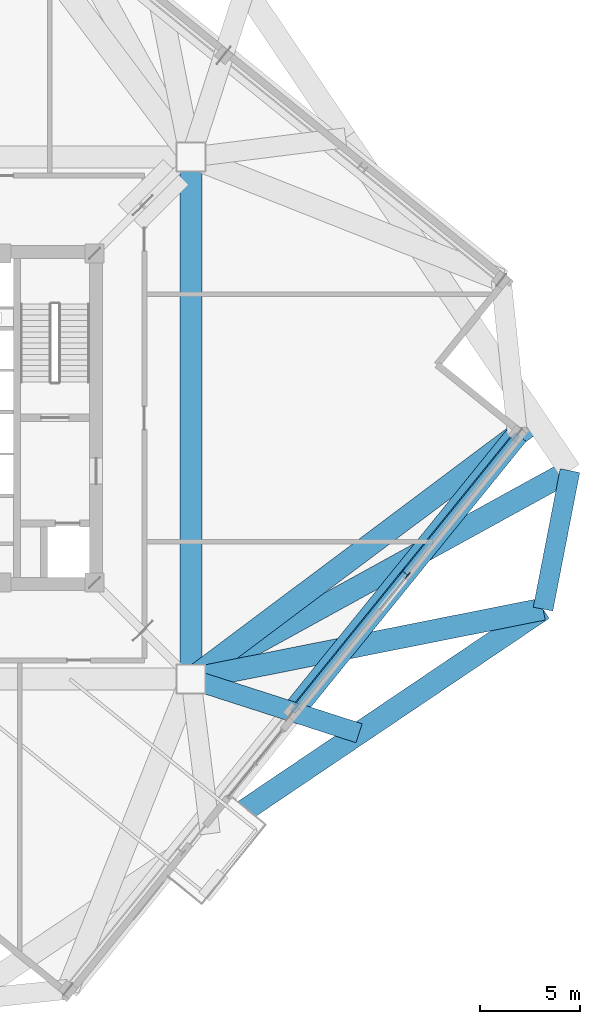
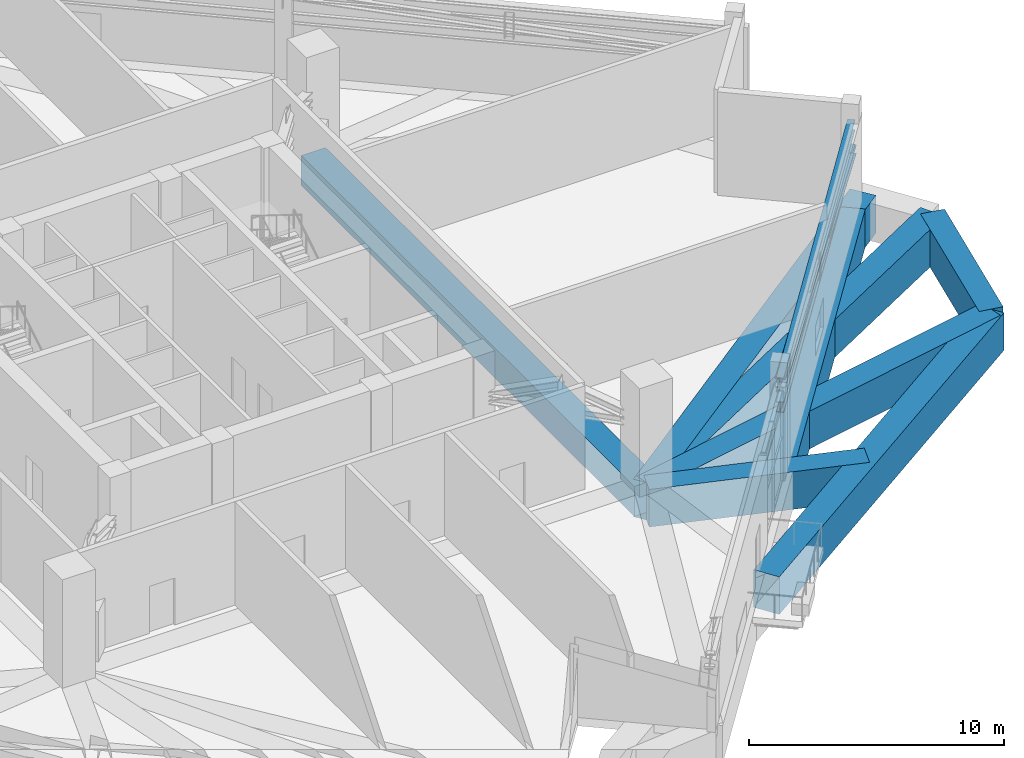
# One storey, part 5 of 22: 8 beams, 4 members.
"""IFC4 building model written with IfcOpenShell, lengths in metres."""

from ifc_helpers import new_model, si_unit, direction, frame, origin, origin_2d, place, context, subcontext, project, spatial, rectangle, i_section, extrude, source, transform, mapped, material, material_profile, profile_set, type_object, element, save


model = new_model("IFC4")

# Units and contexts
model_context = context("Model", 3, precision=1e-05, world=origin(), true_north=direction((0.0, 1.0)))
body_context = subcontext(model_context, "Body", "Model", "MODEL_VIEW")
ifc_project = project(units=[si_unit("LENGTHUNIT", "METRE"), si_unit("AREAUNIT", "SQUARE_METRE"), si_unit("VOLUMEUNIT", "CUBIC_METRE"), si_unit("PLANEANGLEUNIT", "RADIAN"), si_unit("MASSUNIT", "GRAM", prefix="KILO"), si_unit("THERMODYNAMICTEMPERATUREUNIT", "KELVIN")], contexts=[model_context])

# Site, building, storey
site_placement = place(None, origin())
site = spatial("IfcSite", under=ifc_project, at=site_placement, CompositionType="ELEMENT")
building_placement = place(site_placement, origin())
building = spatial("IfcBuilding", under=site, at=building_placement, Name="Kosmvard Interchange Tower", CompositionType="ELEMENT")
storey_placement = place(building_placement, frame((0.0, 0.0, 200.39990234375)))
storey = spatial("IfcBuildingStorey", under=building, at=storey_placement, Name="L48", CompositionType="ELEMENT", Elevation=200.39990234375)

# Beams
ifc_material_1 = material(Name="Concrete C70/85", Category="concrete")
ifc_material_profile_1 = material_profile(ifc_material_1, rectangle(XDim=1.10009765625, YDim=1.43994140625, at=origin_2d()), Name="TG 1100x1440")
ifc_profile_set_1 = profile_set([ifc_material_profile_1], Name="Concrete C70/85")
beam_type_1 = type_object("IfcBeamType", Name="Mega-Frame Transfer Ring Girder 1100x1440 C70/85", PredefinedType="USERDEFINED", material=ifc_profile_set_1)
shared_shape_1 = source(origin(), body_context, "Body", "SweptSolid", [
    extrude(rectangle(XDim=1.10009765625, YDim=1.43994140625, at=origin_2d()), origin(), (0.0, 0.0, 1.0), 26.162109375),
])
beam_1_placement = place(storey_placement, frame((13.0810546875, -13.0810546875, -0.719970703125), z_axis=(0.0, 1.0, 0.0), x_axis=(-1.0, 0.0, 0.0)))
element("IfcBeam", 1, at=beam_1_placement, inside=storey, type_object=beam_type_1, Name="L48 Mega-Column Ring Girder 2", ObjectType="TRANSFER_GIRDER", PredefinedType="USERDEFINED", context=body_context, shape_type="MappedRepresentation", body=[
    mapped(shared_shape_1, transform((0.0, 0.0, 0.0), scale=1.0)),
])
ifc_material_2 = material(Name="Concrete C60/75", Category="concrete")
ifc_material_profile_2 = material_profile(ifc_material_2, rectangle(XDim=1.1201171875, YDim=1.800048828125, at=origin_2d()), Name="TG 1120x1800")
ifc_profile_set_2 = profile_set([ifc_material_profile_2], Name="Concrete C60/75")
beam_type_2 = type_object("IfcBeamType", Name="Zone Long-Span Transfer Girder 1120x1800 C60/75", PredefinedType="USERDEFINED", material=ifc_profile_set_2)
shared_shape_2 = source(origin(), body_context, "Body", "SweptSolid", [
    extrude(rectangle(XDim=1.1201171875, YDim=1.800048828125, at=origin_2d()), origin(), (0.0, 0.0, 1.0), 21.684326171875),
])
beam_2_placement = place(storey_placement, frame((13.0810546875, -13.0810546875, -0.89990234375), z_axis=(0.876311689012, 0.48174456271, 0.0), x_axis=(-0.48174456271, 0.876311689012, 0.0)))
element("IfcBeam", 2, at=beam_2_placement, inside=storey, type_object=beam_type_2, Name="BM-L48-LD04", ObjectType="TRANSFER_GIRDER", PredefinedType="USERDEFINED", context=body_context, shape_type="MappedRepresentation", body=[
    mapped(shared_shape_2, transform((0.0, 0.0, 0.0), scale=1.0)),
])
shared_shape_3 = source(origin(), body_context, "Body", "SweptSolid", [
    extrude(rectangle(XDim=1.1201171875, YDim=1.800048828125, at=origin_2d()), origin(), (0.0, 0.0, 1.0), 20.125),
])
beam_3_placement = place(storey_placement, frame((14.0498046875, -20.82958984375, -0.89990234375), z_axis=(0.829038908426, 0.559190922956, 0.0), x_axis=(-0.559190922956, 0.829038908426, 0.0)))
element("IfcBeam", 3, at=beam_3_placement, inside=storey, type_object=beam_type_2, Name="BM-L48-LR02", ObjectType="TRANSFER_GIRDER", PredefinedType="USERDEFINED", context=body_context, shape_type="MappedRepresentation", body=[
    mapped(shared_shape_3, transform((0.0, 0.0, 0.0), scale=1.0)),
])
ifc_material_profile_3 = material_profile(ifc_material_2, rectangle(XDim=1.0, YDim=1.800048828125, at=origin_2d()), Name="TG 1000x1800")
ifc_profile_set_3 = profile_set([ifc_material_profile_3], Name="Concrete C60/75")
beam_type_3 = type_object("IfcBeamType", Name="Zone Transfer Ring Girder 1000x1800 C60/75", PredefinedType="USERDEFINED", material=ifc_profile_set_3)
shared_shape_4 = source(origin(), body_context, "Body", "SweptSolid", [
    extrude(rectangle(XDim=1.0, YDim=1.800048828125, at=origin_2d()), origin(), (0.0, 0.0, 1.0), 7.071044921875),
])
beam_4_placement = place(storey_placement, frame((30.734130859375, -9.575927734375, -0.89990234375), z_axis=(0.190794803533, 0.981629941956, 0.0), x_axis=(-0.981629941956, 0.190794803533, 0.0)))
element("IfcBeam", 4, at=beam_4_placement, inside=storey, type_object=beam_type_3, Name="BM-L48-LR03", ObjectType="TRANSFER_GIRDER", PredefinedType="USERDEFINED", context=body_context, shape_type="MappedRepresentation", body=[
    mapped(shared_shape_4, transform((0.0, 0.0, 0.0), scale=1.0)),
])
shared_shape_5 = source(origin(), body_context, "Body", "SweptSolid", [
    extrude(rectangle(XDim=1.1201171875, YDim=1.800048828125, at=origin_2d()), origin(), (0.0, 0.0, 1.0), 17.997802734375),
])
beam_5_placement = place(storey_placement, frame((13.0810546875, -13.0810546875, -0.89990234375), z_axis=(0.980852075755, 0.194754218148, 0.0), x_axis=(-0.194754218148, 0.980852075755, 0.0)))
element("IfcBeam", 5, at=beam_5_placement, inside=storey, type_object=beam_type_2, Name="BM-L48-LD03", ObjectType="TRANSFER_GIRDER", PredefinedType="USERDEFINED", context=body_context, shape_type="MappedRepresentation", body=[
    mapped(shared_shape_5, transform((0.0, 0.0, 0.0), scale=1.0)),
])
shared_shape_6 = source(origin(), body_context, "Body", "SweptSolid", [
    extrude(rectangle(XDim=1.1201171875, YDim=1.800048828125, at=origin_2d()), origin(), (0.0, 0.0, 1.0), 17.89990234375),
])
beam_6_placement = place(storey_placement, frame((18.185302734375, -14.72607421875, -0.89990234375), z_axis=(0.629314753061, 0.777150526976, 0.0), x_axis=(-0.777150526976, 0.629314753061, 0.0)))
element("IfcBeam", 6, at=beam_6_placement, inside=storey, type_object=beam_type_2, Name="BM-L48-PR02", ObjectType="TRANSFER_GIRDER", PredefinedType="USERDEFINED", context=body_context, shape_type="MappedRepresentation", body=[
    mapped(shared_shape_6, transform((0.0, 0.0, 0.0), scale=1.0)),
])
shared_shape_7 = source(origin(), body_context, "Body", "SweptSolid", [
    extrude(rectangle(XDim=1.0, YDim=1.800048828125, at=origin_2d()), origin(), (0.0, 0.0, 1.0), 8.855712890625),
])
beam_7_placement = place(storey_placement, frame((13.0810546875, -13.0810546875, -0.89990234375), z_axis=(0.951787317516, -0.306758703569, 0.0), x_axis=(0.306758703569, 0.951787317516, 0.0)))
element("IfcBeam", 7, at=beam_7_placement, inside=storey, type_object=beam_type_3, Name="BM-L48-RD02", ObjectType="TRANSFER_GIRDER", PredefinedType="USERDEFINED", context=body_context, shape_type="MappedRepresentation", body=[
    mapped(shared_shape_7, transform((0.0, 0.0, 0.0), scale=1.0)),
])
shared_shape_8 = source(origin(), body_context, "Body", "SweptSolid", [
    extrude(rectangle(XDim=1.1201171875, YDim=1.800048828125, at=origin_2d()), origin(), (0.0, 0.0, 1.0), 21.621826171875),
])
beam_8_placement = place(storey_placement, frame((13.0810546875, -13.0810546875, -0.89990234375), z_axis=(0.800253307022, 0.599662108692, 0.0), x_axis=(-0.599662108692, 0.800253307022, 0.0)))
element("IfcBeam", 8, at=beam_8_placement, inside=storey, type_object=beam_type_2, Name="BM-L48-RD03", ObjectType="TRANSFER_GIRDER", PredefinedType="USERDEFINED", context=body_context, shape_type="MappedRepresentation", body=[
    mapped(shared_shape_8, transform((0.0, 0.0, 0.0), scale=1.0)),
])

# Members
ifc_material_3 = material(Name="Steel S460", Category="steel")
ifc_material_profile_4 = material_profile(ifc_material_3, i_section(OverallWidth=0.300048828125, OverallDepth=0.5, WebThickness=0.014404296875, FlangeThickness=0.028076171875, FilletRadius=0.027099609375, at=origin_2d()), Name="HEB 500")
ifc_profile_set_4 = profile_set([ifc_material_profile_4], Name="Steel S460")
member_type_1 = type_object("IfcMemberType", Name="Belt Truss Chord HEB 500 S460", PredefinedType="CHORD", material=ifc_profile_set_4)
shared_shape_9 = source(origin(), body_context, "Body", "SweptSolid", [
    extrude(i_section(OverallWidth=0.300048828125, OverallDepth=0.5, WebThickness=0.014404296875, FlangeThickness=0.028076171875, FilletRadius=0.027099609375, at=origin_2d()), origin(), (0.0, 0.0, 1.0), 17.89990234375),
])
for number, where, z_axis, x_axis, name in (
    (9, (18.185302734375, -14.72607421875, 2.820068359375), (0.629314753061, 0.777150526976, 0.0), (-0.777150526976, 0.629314753061, 0.0), "L48 Belt Truss Bottom Chord S2"),
    (10, (18.185302734375, -14.72607421875, 3.97998046875), (0.629314753061, 0.777150526976, 0.0), (-0.777150526976, 0.629314753061, 0.0), "L48 Belt Truss Top Chord S2"),
):
    element("IfcMember", number, at=place(storey_placement, frame(where, z_axis=z_axis, x_axis=x_axis)), inside=storey, type_object=member_type_1, Name=name, PredefinedType="CHORD", context=body_context, shape_type="MappedRepresentation", body=[
        mapped(shared_shape_9, transform((0.0, 0.0, 0.0), scale=1.0)),
    ])
ifc_material_profile_5 = material_profile(ifc_material_3, i_section(OverallWidth=0.3759765625, OverallDepth=0.386962890625, WebThickness=0.01953125, FlangeThickness=0.031982421875, FilletRadius=0.014892578125, at=origin_2d()), Name="HD 360x329")
ifc_profile_set_5 = profile_set([ifc_material_profile_5], Name="Steel S460")
member_type_2 = type_object("IfcMemberType", Name="Belt Truss Vertical Post HD 360x329 S460", PredefinedType="STUD", material=ifc_profile_set_5)
shared_shape_10 = source(origin(), body_context, "Body", "SweptSolid", [
    extrude(i_section(OverallWidth=0.3759765625, OverallDepth=0.386962890625, WebThickness=0.01953125, FlangeThickness=0.031982421875, FilletRadius=0.014892578125, at=origin_2d()), origin(), (0.0, 0.0, 1.0), 1.159912109375),
])
member_1_placement = place(storey_placement, frame((23.817626953125, -7.770751953125, 2.820068359375), z_axis=(0.0, 0.0, 1.0), x_axis=(0.62932039105, 0.777145961457, 0.0)))
element("IfcMember", 11, at=member_1_placement, inside=storey, type_object=member_type_2, Name="L48 Belt Truss Post S2", PredefinedType="STUD", context=body_context, shape_type="MappedRepresentation", body=[
    mapped(shared_shape_10, transform((0.0, 0.0, 0.0), scale=1.0)),
])
ifc_material_profile_6 = material_profile(ifc_material_3, i_section(OverallWidth=0.406005859375, OverallDepth=0.416015625, WebThickness=0.021484375, FlangeThickness=0.034912109375, FilletRadius=0.014892578125, at=origin_2d()), Name="HD 400x382")
ifc_profile_set_6 = profile_set([ifc_material_profile_6], Name="Steel S460")
member_type_3 = type_object("IfcMemberType", Name="Perimeter Belt Truss Diagonal HD 400x382 S460", PredefinedType="BRACE", material=ifc_profile_set_6)
shared_shape_11 = source(origin(), body_context, "Body", "SweptSolid", [
    extrude(i_section(OverallWidth=0.406005859375, OverallDepth=0.416015625, WebThickness=0.021484375, FlangeThickness=0.034912109375, FilletRadius=0.014892578125, at=origin_2d()), origin(), (0.0, 0.0, 1.0), 17.9375),
])
member_2_placement = place(storey_placement, frame((29.449951171875, -0.815185546875, 2.820068359375), z_axis=(-0.627997638558, -0.775524001894, 0.064664429579), x_axis=(0.777150526976, -0.629314753061, 0.0)))
element("IfcMember", 12, at=member_2_placement, inside=storey, type_object=member_type_3, Name="L48 Belt Truss Diagonal S2", PredefinedType="BRACE", context=body_context, shape_type="MappedRepresentation", body=[
    mapped(shared_shape_11, transform((0.0, 0.0, 0.0), scale=1.0)),
])

save(model, "model.ifc")
